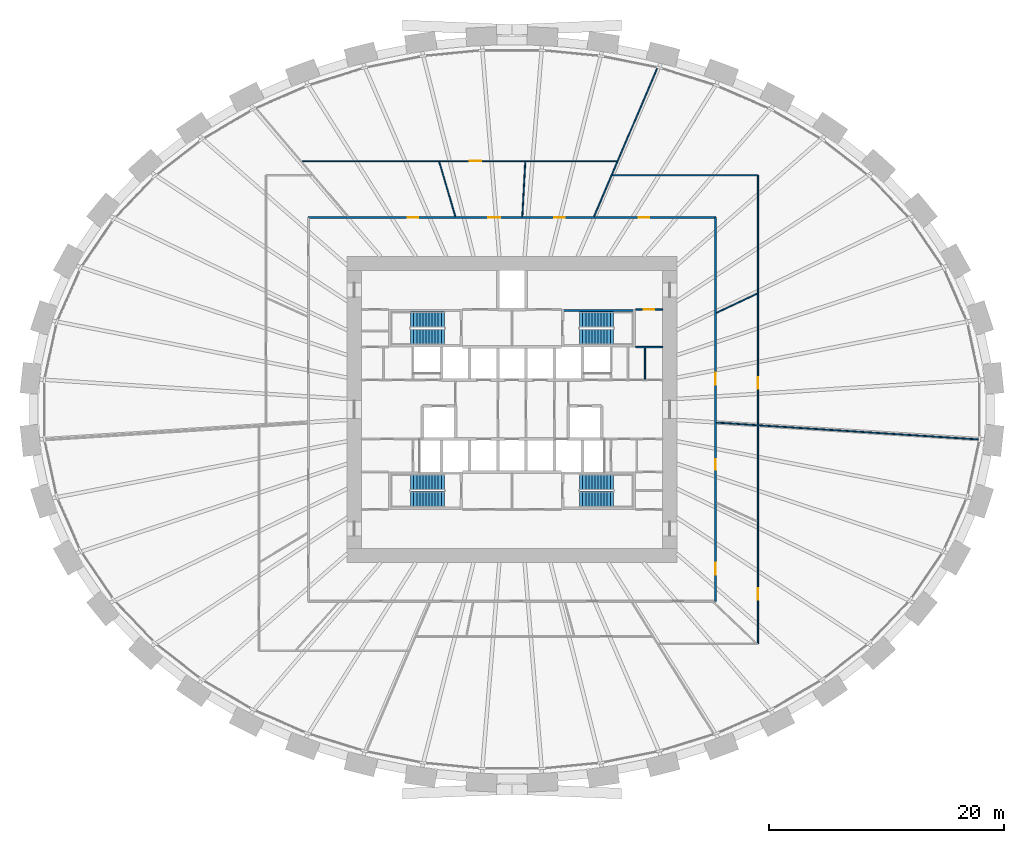
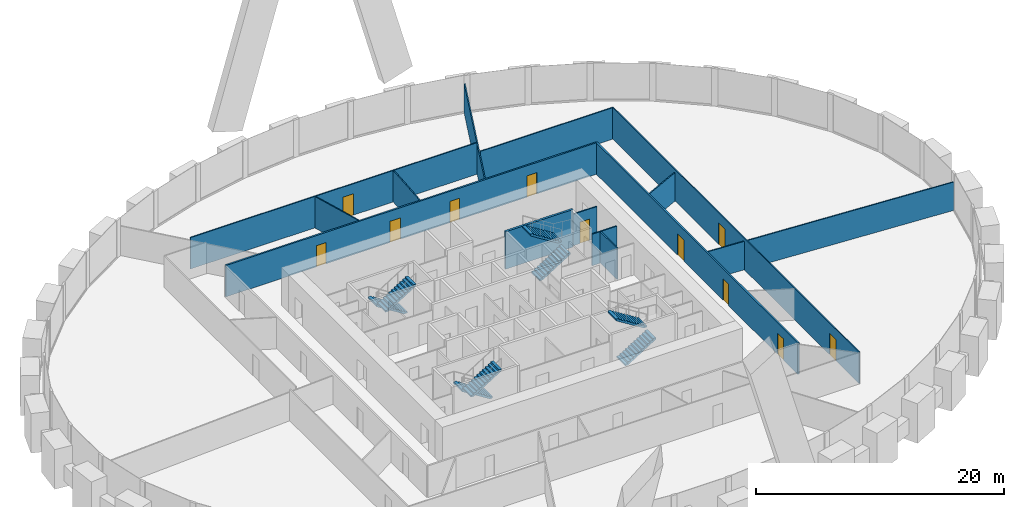
# One storey, part 9 of 10: 14 walls, 11 doors, 8 stair flights, 11 openings, 4 elements without a shape of their own.
"""IFC4 building model written with IfcOpenShell, lengths in metres."""

from ifc_helpers import new_model, si_unit, direction, frame, frame_2d, origin, place, context, subcontext, project, spatial, polyline, rectangle, outline, extrude, source, transform, mapped, material, layer, layer_set, type_object, element, fill, aggregate, save


model = new_model("IFC4")

# Units and contexts
model_context = context("Model", 3, precision=1e-05, world=origin(), true_north=direction((0.0, 1.0)))
body_context = subcontext(model_context, "Body", "Model", "MODEL_VIEW")
ifc_project = project(units=[si_unit("LENGTHUNIT", "METRE"), si_unit("AREAUNIT", "SQUARE_METRE"), si_unit("VOLUMEUNIT", "CUBIC_METRE"), si_unit("PLANEANGLEUNIT", "RADIAN"), si_unit("MASSUNIT", "GRAM", prefix="KILO")], contexts=[model_context])

# Site, building, storey
site_placement = place(None, origin())
site = spatial("IfcSite", under=ifc_project, at=site_placement, CompositionType="ELEMENT")
building_placement = place(site_placement, origin())
building = spatial("IfcBuilding", under=site, at=building_placement, Name="Embergate Tower", CompositionType="ELEMENT")
storey_placement = place(building_placement, frame((0.0, 0.0, 89.300048828125)))
storey = spatial("IfcBuildingStorey", under=building, at=storey_placement, Name="L18", CompositionType="ELEMENT", Elevation=89.300048828125)

# Wall
ifc_material_1 = material(Name="Concrete C50", Category="concrete")
ifc_layer_1 = layer(ifc_material_1, 0.199951171875)
ifc_layer_set_1 = layer_set([ifc_layer_1], Name="Concrete C50")
wall_type_1 = type_object("IfcWallType", Name="Stair enclosure wall reinforced concrete 250", PredefinedType="SHEAR", material=ifc_layer_set_1)
shared_shape_1 = source(origin(), body_context, "Body", "SweptSolid", [
    extrude(rectangle(XDim=6.300048828125, YDim=0.199951171875, at=frame_2d((3.14990234375, 0.0))), origin(), (0.0, 0.0, 1.0), 3.699951171875),
])
wall_1_placement = place(storey_placement, frame((10.5, 8.39990234375, 0.0), z_axis=(0.0, 0.0, 1.0), x_axis=(-1.0, 0.0, 0.0)))
element("IfcWall", 1, at=wall_1_placement, inside=storey, type_object=wall_type_1, Name="SE-1 wall", PredefinedType="SHEAR", context=body_context, shape_type="MappedRepresentation", body=[
    mapped(shared_shape_1, transform((0.0, 0.0, 0.0))),
])

# Wall, opening, door
ifc_material_2 = material(Name="Core partition blockwork 120")
ifc_layer_2 = layer(ifc_material_2, 0.1201171875)
ifc_layer_set_2 = layer_set([ifc_layer_2], Name="Core partition blockwork 120")
wall_type_2 = type_object("IfcWallType", Name="Core partition blockwork 120", PredefinedType="PARTITIONING", material=ifc_layer_set_2)
shared_shape_2 = source(origin(), body_context, "Body", "SweptSolid", [
    extrude(rectangle(XDim=2.300048828125, YDim=0.1201171875, at=frame_2d((1.14990234375, 0.0))), origin(), (0.0, 0.0, 1.0), 3.099853515625),
])
wall_2_placement = place(storey_placement, frame((10.5, 8.5, 0.0), z_axis=(0.0, 0.0, 1.0), x_axis=(1.0, 0.0, 0.0)))
wall_2 = element("IfcWall", 2, at=wall_2_placement, inside=storey, type_object=wall_type_2, Name="IP-3 wall", PredefinedType="PARTITIONING", context=body_context, shape_type="MappedRepresentation", body=[
    mapped(shared_shape_2, transform((0.0, 0.0, 0.0))),
])
shared_shape_3 = source(origin(), body_context, "Body", "SweptSolid", [
    extrude(rectangle(XDim=0.89990234375, YDim=2.10009765625, at=frame_2d((0.449951171875, 1.050048828125))), frame((0.0, 0.070068359375, 0.0), z_axis=(0.0, -1.0, 0.0), x_axis=(1.0, 0.0, 0.0)), (0.0, 0.0, 1.0), 0.14013671875),
])
opening_1_placement = place(wall_2_placement, frame((0.699951171875, 0.0, 0.0)))
opening_1 = element("IfcOpeningElement", 3, at=opening_1_placement, cuts=wall_2, Name="Opening ID-1", PredefinedType="OPENING", context=body_context, shape_type="MappedRepresentation", body=[
    mapped(shared_shape_3, transform((0.0, 0.0, 0.0))),
])
ifc_material_3 = material(Name="Interior door 900")
door_type_1 = type_object("IfcDoorType", Name="Interior door 900", OperationType="SINGLE_SWING_LEFT", PredefinedType="DOOR", material=ifc_material_3)
shared_shape_4 = source(origin(), body_context, "Body", "SweptSolid", [
    extrude(rectangle(XDim=0.89990234375, YDim=2.10009765625, at=frame_2d((0.449951171875, 1.050048828125))), frame((0.0, 0.02490234375, 0.0), z_axis=(0.0, -1.0, 0.0), x_axis=(1.0, 0.0, 0.0)), (0.0, 0.0, 1.0), 0.050048828125),
])
door_1_placement = place(opening_1_placement, origin())
door_1 = element("IfcDoor", 4, at=door_1_placement, inside=storey, type_object=door_type_1, Name="ID-1 door", OperationType="SINGLE_SWING_RIGHT", OverallHeight=2.10009765625, OverallWidth=0.89990234375, PredefinedType="DOOR", context=body_context, shape_type="MappedRepresentation", body=[
    mapped(shared_shape_4, transform((0.0, 0.0, 0.0))),
])
fill(opening_1, door_1)

# Walls
wall_3_placement = place(storey_placement, frame((12.800048828125, 5.300048828125, 0.0), z_axis=(0.0, 0.0, 1.0), x_axis=(-1.0, 0.0, 0.0)))
element("IfcWall", 5, at=wall_3_placement, inside=storey, type_object=wall_type_2, Name="IP-3 wall", PredefinedType="PARTITIONING", context=body_context, shape_type="MappedRepresentation", body=[
    mapped(shared_shape_2, transform((0.0, 0.0, 0.0))),
])
shared_shape_5 = source(origin(), body_context, "Body", "SweptSolid", [
    extrude(rectangle(XDim=2.679931640625, YDim=0.1201171875, at=frame_2d((1.33984375, 0.0))), origin(), (0.0, 0.0, 1.0), 3.099853515625),
])
wall_4_placement = place(storey_placement, frame((11.303955078125, 2.56005859375, 0.0), z_axis=(0.0, 0.0, 1.0), x_axis=(0.0, 1.0, 0.0)))
element("IfcWall", 6, at=wall_4_placement, inside=storey, type_object=wall_type_2, Name="IP-3 wall", PredefinedType="PARTITIONING", context=body_context, shape_type="MappedRepresentation", body=[
    mapped(shared_shape_5, transform((0.0, 0.0, 0.0))),
])
ifc_material_4 = material(Name="Partition dry-lined 100")
ifc_layer_3 = layer(ifc_material_4, 0.10009765625)
ifc_layer_set_3 = layer_set([ifc_layer_3], Name="Partition dry-lined 100")
wall_type_3 = type_object("IfcWallType", Name="Partition dry-lined 100", PredefinedType="PARTITIONING", material=ifc_layer_set_3)
shared_shape_6 = source(origin(), body_context, "Body", "SweptSolid", [
    extrude(rectangle(XDim=22.39013671875, YDim=0.10009765625, at=frame_2d((11.195068359375, 0.0))), origin(), (0.0, 0.0, 1.0), 2.800048828125),
])
wall_5_placement = place(storey_placement, frame((17.375, -1.117919921875, 0.0), z_axis=(0.0, 0.0, 1.0), x_axis=(0.997935511043, -0.064223950351, 0.0)))
element("IfcWall", 7, at=wall_5_placement, inside=storey, type_object=wall_type_3, Name="IP-1 wall", PredefinedType="PARTITIONING", context=body_context, shape_type="MappedRepresentation", body=[
    mapped(shared_shape_6, transform((0.0, 0.0, 0.0))),
])
shared_shape_7 = source(origin(), body_context, "Body", "SweptSolid", [
    extrude(rectangle(XDim=13.76171875, YDim=0.10009765625, at=frame_2d((6.880859375, 0.0))), origin(), (0.0, 0.0, 1.0), 2.89990234375),
])
wall_6_placement = place(storey_placement, frame((6.97607421875, 16.39501953125, 0.0), z_axis=(0.0, 0.0, 1.0), x_axis=(0.391517771794, 0.92017054635, 0.0)))
element("IfcWall", 8, at=wall_6_placement, inside=storey, type_object=wall_type_3, Name="IP-1 wall", PredefinedType="PARTITIONING", context=body_context, shape_type="MappedRepresentation", body=[
    mapped(shared_shape_7, transform((0.0, 0.0, 0.0))),
])
shared_shape_8 = source(origin(), body_context, "Body", "SweptSolid", [
    extrude(rectangle(XDim=3.796142578125, YDim=0.10009765625, at=frame_2d((1.89794921875, 0.0))), origin(), (0.0, 0.0, 1.0), 2.800048828125),
])
wall_7_placement = place(storey_placement, frame((17.39599609375, 8.2099609375, 0.0), z_axis=(0.0, 0.0, 1.0), x_axis=(0.904357603074, 0.42677549808, 0.0)))
element("IfcWall", 9, at=wall_7_placement, inside=storey, type_object=wall_type_3, Name="IP-1 wall", PredefinedType="PARTITIONING", context=body_context, shape_type="MappedRepresentation", body=[
    mapped(shared_shape_8, transform((0.0, 0.0, 0.0))),
])

# Wall, openings, doors
ifc_material_5 = material(Name="Corridor wall dry-lined 150")
ifc_layer_4 = layer(ifc_material_5, 0.14990234375)
ifc_layer_set_4 = layer_set([ifc_layer_4], Name="Corridor wall dry-lined 150")
wall_type_4 = type_object("IfcWallType", Name="Corridor wall dry-lined 150", PredefinedType="PARTITIONING", material=ifc_layer_set_4)
shared_shape_9 = source(origin(), body_context, "Body", "SweptSolid", [
    extrude(rectangle(XDim=32.60009765625, YDim=0.14990234375, at=frame_2d((16.300048828125, 0.0))), origin(), (0.0, 0.0, 1.0), 3.099853515625),
])
wall_8_placement = place(storey_placement, frame((17.300048828125, 16.300048828125, 0.0), z_axis=(0.0, 0.0, 1.0), x_axis=(0.0, -1.0, 0.0)))
wall_8 = element("IfcWall", 10, at=wall_8_placement, inside=storey, type_object=wall_type_4, Name="IP-2 wall", PredefinedType="PARTITIONING", context=body_context, shape_type="MappedRepresentation", body=[
    mapped(shared_shape_9, transform((0.0, 0.0, 0.0))),
])
shared_shape_10 = source(origin(), body_context, "Body", "SweptSolid", [
    extrude(rectangle(XDim=1.0, YDim=2.10009765625, at=frame_2d((0.5, 1.050048828125))), frame((0.0, 0.0849609375, 0.0), z_axis=(0.0, -1.0, 0.0), x_axis=(1.0, 0.0, 0.0)), (0.0, 0.0, 1.0), 0.169921875),
])
opening_2_placement = place(wall_8_placement, frame((29.325927734375, 0.0, 0.0)))
opening_2 = element("IfcOpeningElement", 11, at=opening_2_placement, cuts=wall_8, Name="Opening ID-2", PredefinedType="OPENING", context=body_context, shape_type="MappedRepresentation", body=[
    mapped(shared_shape_10, transform((0.0, 0.0, 0.0))),
])
shared_shape_11 = source(origin(), body_context, "Body", "SweptSolid", [
    extrude(rectangle(XDim=0.89990234375, YDim=2.10009765625, at=frame_2d((0.449951171875, 1.050048828125))), frame((0.0, 0.0849609375, 0.0), z_axis=(0.0, -1.0, 0.0), x_axis=(1.0, 0.0, 0.0)), (0.0, 0.0, 1.0), 0.169921875),
])
opening_3_placement = place(wall_8_placement, frame((20.511962890625, 0.0, 0.0)))
opening_3 = element("IfcOpeningElement", 12, at=opening_3_placement, cuts=wall_8, Name="Opening IF-1c", PredefinedType="OPENING", context=body_context, shape_type="MappedRepresentation", body=[
    mapped(shared_shape_11, transform((0.0, 0.0, 0.0))),
])
opening_4_placement = place(wall_8_placement, frame((13.196044921875, 0.0, 0.0)))
opening_4 = element("IfcOpeningElement", 13, at=opening_4_placement, cuts=wall_8, Name="Opening ID-2", PredefinedType="OPENING", context=body_context, shape_type="MappedRepresentation", body=[
    mapped(shared_shape_10, transform((0.0, 0.0, 0.0))),
])
ifc_material_6 = material(Name="Escape fire door 900")
door_type_2 = type_object("IfcDoorType", Name="Escape fire door 900", OperationType="SINGLE_SWING_LEFT", PredefinedType="DOOR", material=ifc_material_6)
door_2_placement = place(opening_3_placement, origin())
door_2 = element("IfcDoor", 14, at=door_2_placement, inside=storey, type_object=door_type_2, Name="IF-1 door", OperationType="SINGLE_SWING_LEFT", OverallHeight=2.10009765625, OverallWidth=0.89990234375, PredefinedType="DOOR", context=body_context, shape_type="MappedRepresentation", body=[
    mapped(shared_shape_4, transform((0.0, 0.0, 0.0))),
])
fill(opening_3, door_2)
ifc_material_7 = material(Name="Interior door 1000")
door_type_3 = type_object("IfcDoorType", Name="Interior door 1000", OperationType="SINGLE_SWING_LEFT", PredefinedType="DOOR", material=ifc_material_7)
shared_shape_12 = source(origin(), body_context, "Body", "SweptSolid", [
    extrude(rectangle(XDim=1.0, YDim=2.10009765625, at=frame_2d((0.5, 1.050048828125))), frame((0.0, 0.02490234375, 0.0), z_axis=(0.0, -1.0, 0.0), x_axis=(1.0, 0.0, 0.0)), (0.0, 0.0, 1.0), 0.050048828125),
])
door_3_placement = place(opening_2_placement, origin())
door_3 = element("IfcDoor", 15, at=door_3_placement, inside=storey, type_object=door_type_3, Name="ID-2 door", OperationType="SINGLE_SWING_LEFT", OverallHeight=2.10009765625, OverallWidth=1.0, PredefinedType="DOOR", context=body_context, shape_type="MappedRepresentation", body=[
    mapped(shared_shape_12, transform((0.0, 0.0, 0.0))),
])
fill(opening_2, door_3)
door_4_placement = place(opening_4_placement, origin())
door_4 = element("IfcDoor", 16, at=door_4_placement, inside=storey, type_object=door_type_3, Name="ID-2 door", OperationType="SINGLE_SWING_RIGHT", OverallHeight=2.10009765625, OverallWidth=1.0, PredefinedType="DOOR", context=body_context, shape_type="MappedRepresentation", body=[
    mapped(shared_shape_12, transform((0.0, 0.0, 0.0))),
])
fill(opening_4, door_4)

shared_shape_13 = source(origin(), body_context, "Body", "SweptSolid", [
    extrude(rectangle(XDim=34.60009765625, YDim=0.14990234375, at=frame_2d((17.300048828125, 0.0))), origin(), (0.0, 0.0, 1.0), 3.099853515625),
])
wall_9_placement = place(storey_placement, frame((-17.300048828125, 16.300048828125, 0.0), z_axis=(0.0, 0.0, 1.0), x_axis=(1.0, 0.0, 0.0)))
wall_9 = element("IfcWall", 17, at=wall_9_placement, inside=storey, type_object=wall_type_4, Name="IP-2 wall", PredefinedType="PARTITIONING", context=body_context, shape_type="MappedRepresentation", body=[
    mapped(shared_shape_13, transform((0.0, 0.0, 0.0))),
])
opening_5_placement = place(wall_9_placement, frame((28.0810546875, 0.0, 0.0)))
opening_5 = element("IfcOpeningElement", 18, at=opening_5_placement, cuts=wall_9, Name="Opening IF-1c", PredefinedType="OPENING", context=body_context, shape_type="MappedRepresentation", body=[
    mapped(shared_shape_11, transform((0.0, 0.0, 0.0))),
])
opening_6_placement = place(wall_9_placement, frame((20.89111328125, 0.0, 0.0)))
opening_6 = element("IfcOpeningElement", 19, at=opening_6_placement, cuts=wall_9, Name="Opening IF-1c", PredefinedType="OPENING", context=body_context, shape_type="MappedRepresentation", body=[
    mapped(shared_shape_11, transform((0.0, 0.0, 0.0))),
])
opening_7_placement = place(wall_9_placement, frame((15.2890625, 0.0, 0.0)))
opening_7 = element("IfcOpeningElement", 20, at=opening_7_placement, cuts=wall_9, Name="Opening ID-2", PredefinedType="OPENING", context=body_context, shape_type="MappedRepresentation", body=[
    mapped(shared_shape_10, transform((0.0, 0.0, 0.0))),
])
opening_8_placement = place(wall_9_placement, frame((8.43896484375, 0.0, 0.0)))
opening_8 = element("IfcOpeningElement", 21, at=opening_8_placement, cuts=wall_9, Name="Opening IF-1c", PredefinedType="OPENING", context=body_context, shape_type="MappedRepresentation", body=[
    mapped(shared_shape_11, transform((0.0, 0.0, 0.0))),
])
door_5_placement = place(opening_5_placement, origin())
door_5 = element("IfcDoor", 22, at=door_5_placement, inside=storey, type_object=door_type_2, Name="IF-1 door", OperationType="SINGLE_SWING_RIGHT", OverallHeight=2.10009765625, OverallWidth=0.89990234375, PredefinedType="DOOR", context=body_context, shape_type="MappedRepresentation", body=[
    mapped(shared_shape_4, transform((0.0, 0.0, 0.0))),
])
fill(opening_5, door_5)
door_6_placement = place(opening_6_placement, origin())
door_6 = element("IfcDoor", 23, at=door_6_placement, inside=storey, type_object=door_type_2, Name="IF-1 door", OperationType="SINGLE_SWING_LEFT", OverallHeight=2.10009765625, OverallWidth=0.89990234375, PredefinedType="DOOR", context=body_context, shape_type="MappedRepresentation", body=[
    mapped(shared_shape_4, transform((0.0, 0.0, 0.0))),
])
fill(opening_6, door_6)
door_7_placement = place(opening_8_placement, origin())
door_7 = element("IfcDoor", 24, at=door_7_placement, inside=storey, type_object=door_type_2, Name="IF-1 door", OperationType="SINGLE_SWING_LEFT", OverallHeight=2.10009765625, OverallWidth=0.89990234375, PredefinedType="DOOR", context=body_context, shape_type="MappedRepresentation", body=[
    mapped(shared_shape_4, transform((0.0, 0.0, 0.0))),
])
fill(opening_8, door_7)
door_8_placement = place(opening_7_placement, origin())
door_8 = element("IfcDoor", 25, at=door_8_placement, inside=storey, type_object=door_type_3, Name="ID-2 door", OperationType="SINGLE_SWING_LEFT", OverallHeight=2.10009765625, OverallWidth=1.0, PredefinedType="DOOR", context=body_context, shape_type="MappedRepresentation", body=[
    mapped(shared_shape_12, transform((0.0, 0.0, 0.0))),
])
fill(opening_7, door_8)

shared_shape_14 = source(origin(), body_context, "Body", "SweptSolid", [
    extrude(rectangle(XDim=39.7998046875, YDim=0.10009765625, at=frame_2d((19.89990234375, 0.0))), origin(), (0.0, 0.0, 1.0), 3.099853515625),
])
wall_10_placement = place(storey_placement, frame((20.89990234375, 19.89990234375, 0.0), z_axis=(0.0, 0.0, 1.0), x_axis=(0.0, -1.0, 0.0)))
wall_10 = element("IfcWall", 26, at=wall_10_placement, inside=storey, type_object=wall_type_3, Name="IP-1 wall", PredefinedType="PARTITIONING", context=body_context, shape_type="MappedRepresentation", body=[
    mapped(shared_shape_14, transform((0.0, 0.0, 0.0))),
])
shared_shape_15 = source(origin(), body_context, "Body", "SweptSolid", [
    extrude(rectangle(XDim=1.0, YDim=2.10009765625, at=frame_2d((0.5, 1.050048828125))), frame((0.0, 0.06005859375, 0.0), z_axis=(0.0, -1.0, 0.0), x_axis=(1.0, 0.0, 0.0)), (0.0, 0.0, 1.0), 0.1201171875),
])
opening_9_placement = place(wall_10_placement, frame((35.08203125, 0.0, 0.0)))
opening_9 = element("IfcOpeningElement", 27, at=opening_9_placement, cuts=wall_10, Name="Opening ID-2", PredefinedType="OPENING", context=body_context, shape_type="MappedRepresentation", body=[
    mapped(shared_shape_15, transform((0.0, 0.0, 0.0))),
])
opening_10_placement = place(wall_10_placement, frame((17.157958984375, 0.0, 0.0)))
opening_10 = element("IfcOpeningElement", 28, at=opening_10_placement, cuts=wall_10, Name="Opening ID-2", PredefinedType="OPENING", context=body_context, shape_type="MappedRepresentation", body=[
    mapped(shared_shape_15, transform((0.0, 0.0, 0.0))),
])
door_9_placement = place(opening_9_placement, origin())
door_9 = element("IfcDoor", 29, at=door_9_placement, inside=storey, type_object=door_type_3, Name="ID-2 door", OperationType="SINGLE_SWING_LEFT", OverallHeight=2.10009765625, OverallWidth=1.0, PredefinedType="DOOR", context=body_context, shape_type="MappedRepresentation", body=[
    mapped(shared_shape_12, transform((0.0, 0.0, 0.0))),
])
fill(opening_9, door_9)
door_10_placement = place(opening_10_placement, origin())
door_10 = element("IfcDoor", 30, at=door_10_placement, inside=storey, type_object=door_type_3, Name="ID-2 door", OperationType="SINGLE_SWING_LEFT", OverallHeight=2.10009765625, OverallWidth=1.0, PredefinedType="DOOR", context=body_context, shape_type="MappedRepresentation", body=[
    mapped(shared_shape_12, transform((0.0, 0.0, 0.0))),
])
fill(opening_10, door_10)

# Walls
shared_shape_16 = source(origin(), body_context, "Body", "SweptSolid", [
    extrude(rectangle(XDim=12.35693359375, YDim=0.10009765625, at=frame_2d((6.178466796875, 0.0))), origin(), (0.0, 0.0, 1.0), 3.099853515625),
])
wall_11_placement = place(storey_placement, frame((8.54296875, 19.89990234375, 0.0), z_axis=(0.0, 0.0, 1.0), x_axis=(1.0, 0.0, 0.0)))
element("IfcWall", 31, at=wall_11_placement, inside=storey, type_object=wall_type_3, Name="IP-1 wall", PredefinedType="PARTITIONING", context=body_context, shape_type="MappedRepresentation", body=[
    mapped(shared_shape_16, transform((0.0, 0.0, 0.0))),
])
shared_shape_17 = source(origin(), body_context, "Body", "SweptSolid", [
    extrude(rectangle(XDim=4.681640625, YDim=0.10009765625, at=frame_2d((2.3408203125, 0.0))), origin(), (0.0, 0.0, 1.0), 3.099853515625),
])
wall_12_placement = place(storey_placement, frame((0.876953125, 16.375, 0.0), z_axis=(0.0, 0.0, 1.0), x_axis=(0.053399081376, 0.998573251248, 0.0)))
element("IfcWall", 32, at=wall_12_placement, inside=storey, type_object=wall_type_3, Name="IP-1 wall", PredefinedType="PARTITIONING", context=body_context, shape_type="MappedRepresentation", body=[
    mapped(shared_shape_17, transform((0.0, 0.0, 0.0))),
])

# Wall, opening, door
shared_shape_18 = source(origin(), body_context, "Body", "SweptSolid", [
    extrude(rectangle(XDim=26.72119140625, YDim=0.10009765625, at=frame_2d((13.360595703125, 0.0))), origin(), (0.0, 0.0, 1.0), 3.099853515625),
])
wall_13_placement = place(storey_placement, frame((-17.819091796875, 21.10009765625, 0.0), z_axis=(0.0, 0.0, 1.0), x_axis=(1.0, 0.0, 0.0)))
wall_13 = element("IfcWall", 33, at=wall_13_placement, inside=storey, type_object=wall_type_3, Name="IP-1 wall", PredefinedType="PARTITIONING", context=body_context, shape_type="MappedRepresentation", body=[
    mapped(shared_shape_18, transform((0.0, 0.0, 0.0))),
])
opening_11_placement = place(wall_13_placement, frame((14.211669921875, 0.0, 0.0)))
opening_11 = element("IfcOpeningElement", 34, at=opening_11_placement, cuts=wall_13, Name="Opening ID-2", PredefinedType="OPENING", context=body_context, shape_type="MappedRepresentation", body=[
    mapped(shared_shape_15, transform((0.0, 0.0, 0.0))),
])
door_11_placement = place(opening_11_placement, origin())
door_11 = element("IfcDoor", 35, at=door_11_placement, inside=storey, type_object=door_type_3, Name="ID-2 door", OperationType="SINGLE_SWING_RIGHT", OverallHeight=2.10009765625, OverallWidth=1.0, PredefinedType="DOOR", context=body_context, shape_type="MappedRepresentation", body=[
    mapped(shared_shape_12, transform((0.0, 0.0, 0.0))),
])
fill(opening_11, door_11)

# Wall
shared_shape_19 = source(origin(), body_context, "Body", "SweptSolid", [
    extrude(rectangle(XDim=4.84326171875, YDim=0.10009765625, at=frame_2d((2.421630859375, 0.0))), origin(), (0.0, 0.0, 1.0), 3.099853515625),
])
wall_14_placement = place(storey_placement, frame((-4.81494140625, 16.388916015625, 0.0), z_axis=(0.0, 0.0, 1.0), x_axis=(-0.281830628562, 0.959464171715, 0.0)))
element("IfcWall", 36, at=wall_14_placement, inside=storey, type_object=wall_type_3, Name="IP-1 wall", PredefinedType="PARTITIONING", context=body_context, shape_type="MappedRepresentation", body=[
    mapped(shared_shape_19, transform((0.0, 0.0, 0.0))),
])

# Stair, stair flights
ifc_material_8 = material(Name="Exit stair")
stair_type = type_object("IfcStairType", Name="Exit stair", PredefinedType="HALF_TURN_STAIR", material=ifc_material_8)
stair_1_placement = place(storey_placement, origin())
stair_1 = element("IfcStair", 37, at=stair_1_placement, inside=storey, type_object=stair_type, Name="L18 Exit stair 1", PredefinedType="HALF_TURN_STAIR")
ifc_material_9 = material(Name="Concrete C40", Category="concrete")
stair_flight_type = type_object("IfcStairFlightType", Name="Stair flight reinforced concrete", PredefinedType="STRAIGHT", material=ifc_material_9)
shared_shape_20 = source(origin(), body_context, "Body", "SweptSolid", [
    extrude(outline(polyline([(0.0, 0.0), (0.0, 0.16259765625), (0.260009765625, 0.16259765625), (0.260009765625, 0.324951171875), (0.52001953125, 0.324951171875), (0.52001953125, 0.487548828125), (0.780029296875, 0.487548828125), (0.780029296875, 0.64990234375), (1.0400390625, 0.64990234375), (1.0400390625, 0.8125), (1.300048828125, 0.8125), (1.300048828125, 0.97509765625), (1.56005859375, 0.97509765625), (1.56005859375, 1.137451171875), (1.820068359375, 1.137451171875), (1.820068359375, 1.300048828125), (2.080078125, 1.300048828125), (2.080078125, 1.46240234375), (2.340087890625, 1.46240234375), (2.340087890625, 1.625), (2.60009765625, 1.625), (2.60009765625, 1.78759765625), (2.860107421875, 1.78759765625), (2.860107421875, 1.949951171875), (2.860107421875, 1.61083984375), (0.28271484375, 0.0), (0.0, 0.0)])), frame((0.0, 0.675048828125, 0.0), z_axis=(0.0, -1.0, 0.0), x_axis=(1.0, 0.0, 0.0)), (0.0, 0.0, 1.0), 1.35009765625),
])
stair_flight_1_placement = place(storey_placement, frame((-5.75, 7.625, 0.0), z_axis=(0.0, 0.0, 1.0), x_axis=(-1.0, 0.0, 0.0)))
stair_flight_1 = element("IfcStairFlight", 38, at=stair_flight_1_placement, type_object=stair_flight_type, Name="ST1 flight 1", NumberOfRisers=12, NumberOfTreads=11, PredefinedType="STRAIGHT", RiserHeight=0.1625, TreadLength=0.26, context=body_context, shape_type="MappedRepresentation", body=[
    mapped(shared_shape_20, transform((0.0, 0.0, 0.0))),
])
stair_flight_2_placement = place(storey_placement, frame((-8.610107421875, 6.175048828125, 1.949951171875), z_axis=(0.0, 0.0, 1.0), x_axis=(1.0, 0.0, 0.0)))
stair_flight_2 = element("IfcStairFlight", 39, at=stair_flight_2_placement, type_object=stair_flight_type, Name="ST1 flight 2", NumberOfRisers=12, NumberOfTreads=11, PredefinedType="STRAIGHT", RiserHeight=0.1625, TreadLength=0.26, context=body_context, shape_type="MappedRepresentation", body=[
    mapped(shared_shape_20, transform((0.0, 0.0, 0.0))),
])
aggregate(stair_1, [stair_flight_1, stair_flight_2])

stair_2_placement = place(storey_placement, origin())
stair_2 = element("IfcStair", 40, at=stair_2_placement, inside=storey, type_object=stair_type, Name="L18 Exit stair 2", PredefinedType="HALF_TURN_STAIR")
stair_flight_3_placement = place(storey_placement, frame((5.75, 6.175048828125, 0.0), z_axis=(0.0, 0.0, 1.0), x_axis=(1.0, 0.0, 0.0)))
stair_flight_3 = element("IfcStairFlight", 41, at=stair_flight_3_placement, type_object=stair_flight_type, Name="ST2 flight 1", NumberOfRisers=12, NumberOfTreads=11, PredefinedType="STRAIGHT", RiserHeight=0.1625, TreadLength=0.26, context=body_context, shape_type="MappedRepresentation", body=[
    mapped(shared_shape_20, transform((0.0, 0.0, 0.0))),
])
stair_flight_4_placement = place(storey_placement, frame((8.610107421875, 7.625, 1.949951171875), z_axis=(0.0, 0.0, 1.0), x_axis=(-1.0, 0.0, 0.0)))
stair_flight_4 = element("IfcStairFlight", 42, at=stair_flight_4_placement, type_object=stair_flight_type, Name="ST2 flight 2", NumberOfRisers=12, NumberOfTreads=11, PredefinedType="STRAIGHT", RiserHeight=0.1625, TreadLength=0.26, context=body_context, shape_type="MappedRepresentation", body=[
    mapped(shared_shape_20, transform((0.0, 0.0, 0.0))),
])
aggregate(stair_2, [stair_flight_3, stair_flight_4])

stair_3_placement = place(storey_placement, origin())
stair_3 = element("IfcStair", 43, at=stair_3_placement, inside=storey, type_object=stair_type, Name="L18 Exit stair 3", PredefinedType="HALF_TURN_STAIR")
stair_flight_5_placement = place(storey_placement, frame((-5.75, -6.175048828125, 0.0), z_axis=(0.0, 0.0, 1.0), x_axis=(-1.0, 0.0, 0.0)))
stair_flight_5 = element("IfcStairFlight", 44, at=stair_flight_5_placement, type_object=stair_flight_type, Name="ST3 flight 1", NumberOfRisers=12, NumberOfTreads=11, PredefinedType="STRAIGHT", RiserHeight=0.1625, TreadLength=0.26, context=body_context, shape_type="MappedRepresentation", body=[
    mapped(shared_shape_20, transform((0.0, 0.0, 0.0))),
])
stair_flight_6_placement = place(storey_placement, frame((-8.610107421875, -7.625, 1.949951171875), z_axis=(0.0, 0.0, 1.0), x_axis=(1.0, 0.0, 0.0)))
stair_flight_6 = element("IfcStairFlight", 45, at=stair_flight_6_placement, type_object=stair_flight_type, Name="ST3 flight 2", NumberOfRisers=12, NumberOfTreads=11, PredefinedType="STRAIGHT", RiserHeight=0.1625, TreadLength=0.26, context=body_context, shape_type="MappedRepresentation", body=[
    mapped(shared_shape_20, transform((0.0, 0.0, 0.0))),
])
aggregate(stair_3, [stair_flight_5, stair_flight_6])

stair_4_placement = place(storey_placement, origin())
stair_4 = element("IfcStair", 46, at=stair_4_placement, inside=storey, type_object=stair_type, Name="L18 Exit stair 4", PredefinedType="HALF_TURN_STAIR")
stair_flight_7_placement = place(storey_placement, frame((5.75, -7.625, 0.0), z_axis=(0.0, 0.0, 1.0), x_axis=(1.0, 0.0, 0.0)))
stair_flight_7 = element("IfcStairFlight", 47, at=stair_flight_7_placement, type_object=stair_flight_type, Name="ST4 flight 1", NumberOfRisers=12, NumberOfTreads=11, PredefinedType="STRAIGHT", RiserHeight=0.1625, TreadLength=0.26, context=body_context, shape_type="MappedRepresentation", body=[
    mapped(shared_shape_20, transform((0.0, 0.0, 0.0))),
])
stair_flight_8_placement = place(storey_placement, frame((8.610107421875, -6.175048828125, 1.949951171875), z_axis=(0.0, 0.0, 1.0), x_axis=(-1.0, 0.0, 0.0)))
stair_flight_8 = element("IfcStairFlight", 48, at=stair_flight_8_placement, type_object=stair_flight_type, Name="ST4 flight 2", NumberOfRisers=12, NumberOfTreads=11, PredefinedType="STRAIGHT", RiserHeight=0.1625, TreadLength=0.26, context=body_context, shape_type="MappedRepresentation", body=[
    mapped(shared_shape_20, transform((0.0, 0.0, 0.0))),
])
aggregate(stair_4, [stair_flight_7, stair_flight_8])

save(model, "model.ifc")
